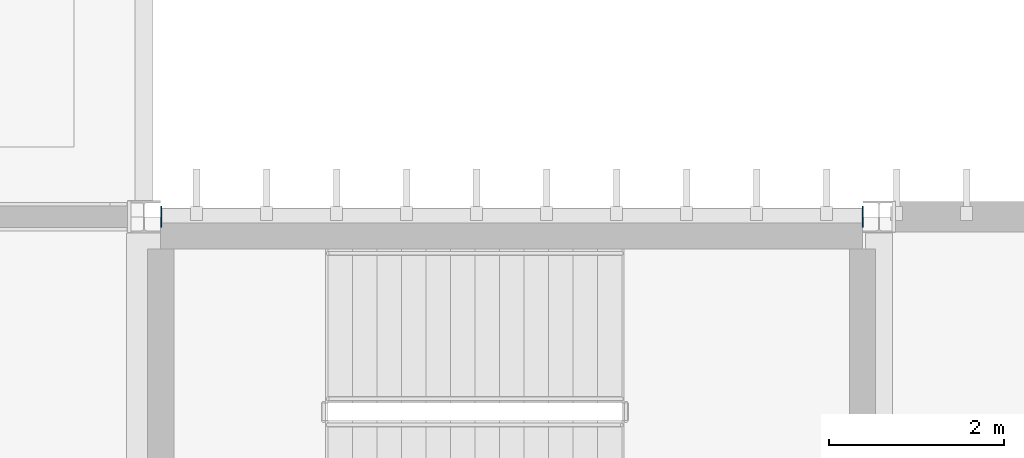
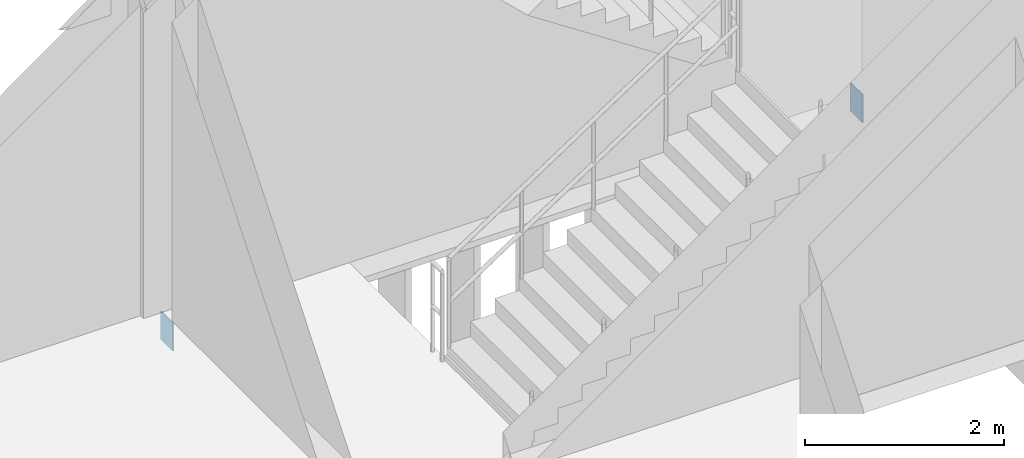
# One storey, part 39 of 72: 2 plates.
"""IFC4 building model written with IfcOpenShell, lengths in metres."""

from ifc_helpers import new_model, si_unit, direction, frame, origin, origin_2d, place, context, subcontext, project, spatial, rectangle, extrude, material, layer, layer_set, type_object, element, save


model = new_model("IFC4")

# Units and contexts
model_context = context("Model", 3, precision=1e-05, world=origin(), true_north=direction((0.0, 1.0)))
body_context = subcontext(model_context, "Body", "Model", "MODEL_VIEW")
ifc_project = project(units=[si_unit("LENGTHUNIT", "METRE"), si_unit("AREAUNIT", "SQUARE_METRE"), si_unit("VOLUMEUNIT", "CUBIC_METRE"), si_unit("PLANEANGLEUNIT", "RADIAN"), si_unit("MASSUNIT", "GRAM", prefix="KILO")], contexts=[model_context])

# Site, building, storey
site_placement = place(None, origin())
site = spatial("IfcSite", under=ifc_project, at=site_placement, CompositionType="ELEMENT")
building_placement = place(site_placement, origin())
building = spatial("IfcBuilding", under=site, at=building_placement, Name="Calvrana Isthmian Art Gallery", CompositionType="ELEMENT")
storey_placement = place(building_placement, frame((0.0, 0.0, 15.0)))
storey = spatial("IfcBuildingStorey", under=building, at=storey_placement, Name="L03", CompositionType="ELEMENT", Elevation=15.0)

# Plates
ifc_material = material(Name="Steel ASTM A572 Gr 50", Category="steel")
ifc_layer = layer(ifc_material, 0.01611328125, Name="Steel ASTM A572 Gr 50")
ifc_layer_set = layer_set([ifc_layer], Name="Steel ASTM A572 Gr 50")
plate_type = type_object("IfcPlateType", Name="PL-CAP-16", PredefinedType="SHEET", material=ifc_layer_set)
for number, where, z_axis, x_axis, name in (
    (1, (63.797119140625, 46.800048828125, -0.56982421875), (0.0, 0.0, 1.0), (1.0, 0.0, 0.0), "Hollow section end cap plate 479"),
    (2, (71.8134765625, 46.800048828125, -0.56982421875), (0.0, 0.0, 1.0), (1.0, 0.0, 0.0), "Hollow section end cap plate 480"),
):
    element("IfcPlate", number, at=place(storey_placement, frame(where, z_axis=z_axis, x_axis=x_axis)), inside=storey, type_object=plate_type, Name=name, PredefinedType="SHEET", context=body_context, shape_type="SweptSolid", body=[
        extrude(rectangle(XDim=0.01611328125, YDim=0.2431640625, at=origin_2d()), origin(), (0.0, 0.0, 1.0), 0.3447265625),
    ])

save(model, "model.ifc")
